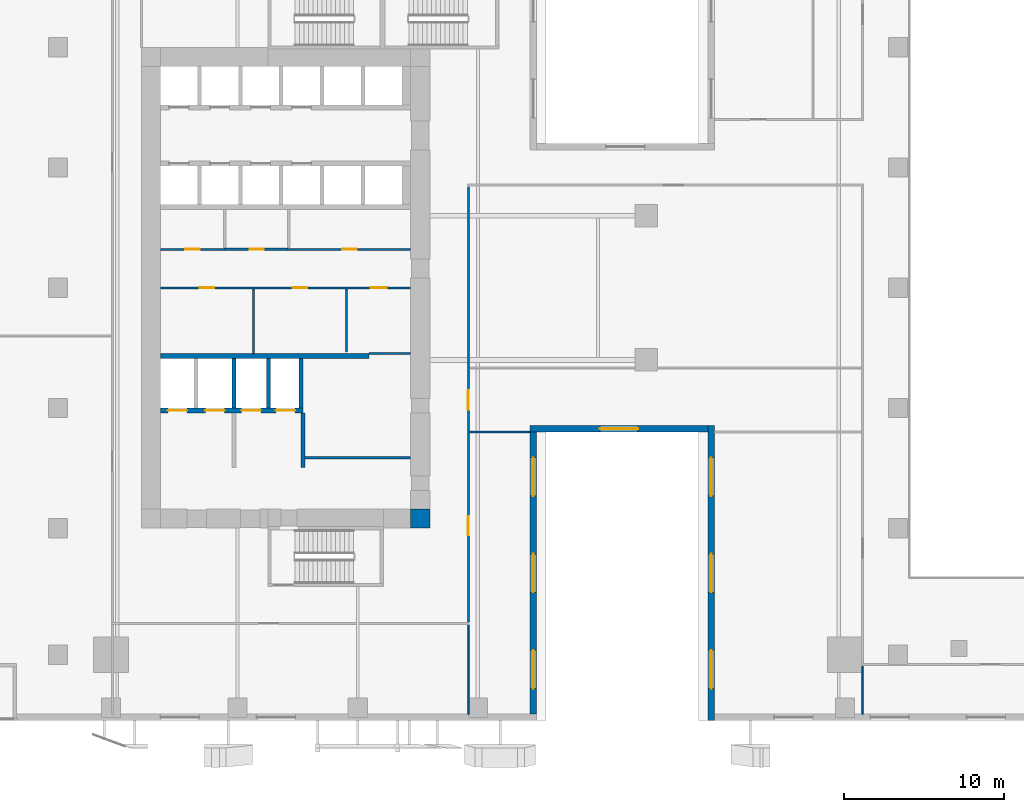
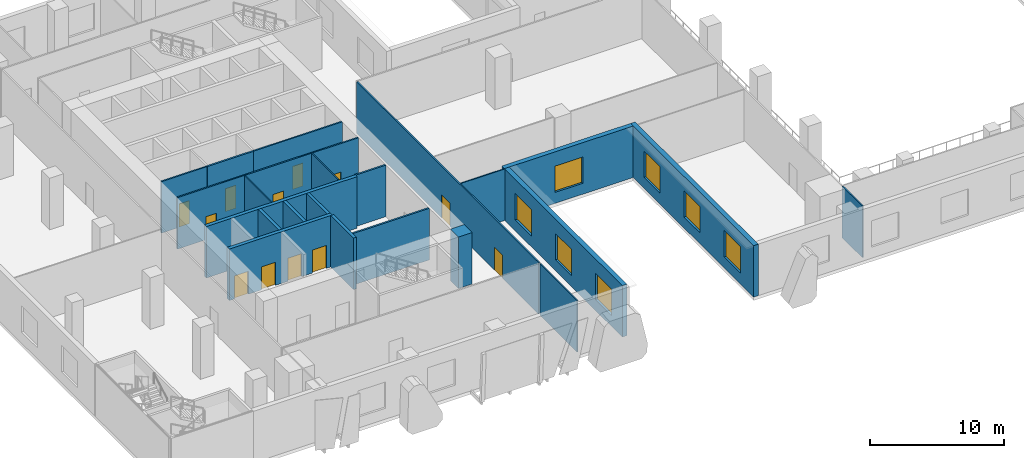
# One storey, part 11 of 23: 22 walls, 12 doors, 7 windows, 19 openings.
"""IFC4 building model written with IfcOpenShell, lengths in metres."""

from ifc_helpers import new_model, si_unit, direction, frame, frame_2d, origin, place, context, subcontext, project, spatial, rectangle, extrude, source, transform, mapped, material, layer, layer_set, type_object, element, fill, save


model = new_model("IFC4")

# Units and contexts
model_context = context("Model", 3, precision=1e-05, world=origin(), true_north=direction((0.0, 1.0)))
body_context = subcontext(model_context, "Body", "Model", "MODEL_VIEW")
ifc_project = project(units=[si_unit("LENGTHUNIT", "METRE"), si_unit("AREAUNIT", "SQUARE_METRE"), si_unit("VOLUMEUNIT", "CUBIC_METRE"), si_unit("PLANEANGLEUNIT", "RADIAN"), si_unit("MASSUNIT", "GRAM", prefix="KILO")], contexts=[model_context])

# Site, building, storey
site_placement = place(None, origin())
site = spatial("IfcSite", under=ifc_project, at=site_placement, CompositionType="ELEMENT")
building_placement = place(site_placement, origin())
building = spatial("IfcBuilding", under=site, at=building_placement, Name="Khomas Fold Tower", CompositionType="ELEMENT")
storey_placement = place(building_placement, frame((0.0, 0.0, 18.5)))
storey = spatial("IfcBuildingStorey", under=building, at=storey_placement, Name="L03", CompositionType="ELEMENT", Elevation=18.5)

# Walls
ifc_material_1 = material(Name="Concrete C70/85", Category="concrete")
ifc_layer_1 = layer(ifc_material_1, 1.199951171875)
ifc_layer_set_1 = layer_set([ifc_layer_1], Name="Concrete C70/85")
wall_type_1 = type_object("IfcWallType", Name="Core corner wall 1200", PredefinedType="SHEAR", material=ifc_layer_set_1)
shared_shape_1 = source(origin(), body_context, "Body", "SweptSolid", [
    extrude(rectangle(XDim=1.199951171875, YDim=1.199951171875, at=frame_2d((0.60009765625, 0.0))), origin(), (0.0, 0.0, 1.0), 4.699951171875),
])
wall_1_placement = place(storey_placement, frame((22.800048828125, 12.60009765625, 0.0), z_axis=(0.0, 0.0, 1.0), x_axis=(1.0, 0.0, 0.0)))
element("IfcWall", 1, at=wall_1_placement, inside=storey, type_object=wall_type_1, Name="Core wall CW-L-SE-B2", PredefinedType="SHEAR", context=body_context, shape_type="MappedRepresentation", body=[
    mapped(shared_shape_1, transform((0.0, 0.0, 0.0))),
])
ifc_material_2 = material(Name="Concrete C50/60", Category="concrete")
ifc_layer_2 = layer(ifc_material_2, 0.300048828125)
ifc_layer_set_2 = layer_set([ifc_layer_2], Name="Concrete C50/60")
wall_type_2 = type_object("IfcWallType", Name="Shaft wall 300", PredefinedType="STANDARD", material=ifc_layer_set_2)
shared_shape_2 = source(origin(), body_context, "Body", "SweptSolid", [
    extrude(rectangle(XDim=13.0, YDim=0.300048828125, at=frame_2d((6.5, 0.0))), origin(), (0.0, 0.0, 1.0), 4.699951171875),
])
wall_2_placement = place(storey_placement, frame((7.199951171875, 22.75, 0.0), z_axis=(0.0, 0.0, 1.0), x_axis=(1.0, 0.0, 0.0)))
element("IfcWall", 2, at=wall_2_placement, inside=storey, type_object=wall_type_2, Name="Core wall SW-FS-B", PredefinedType="STANDARD", context=body_context, shape_type="MappedRepresentation", body=[
    mapped(shared_shape_2, transform((0.0, 0.0, 0.0))),
])

# Wall, openings, doors
shared_shape_3 = source(origin(), body_context, "Body", "SweptSolid", [
    extrude(rectangle(XDim=8.875, YDim=0.300048828125, at=frame_2d((4.4375, 0.0))), origin(), (0.0, 0.0, 1.0), 4.699951171875),
])
wall_3_placement = place(storey_placement, frame((7.199951171875, 19.35009765625, 0.0), z_axis=(0.0, 0.0, 1.0), x_axis=(1.0, 0.0, 0.0)))
wall_3 = element("IfcWall", 3, at=wall_3_placement, inside=storey, type_object=wall_type_2, Name="Core wall SW-FS-F", PredefinedType="STANDARD", context=body_context, shape_type="MappedRepresentation", body=[
    mapped(shared_shape_3, transform((0.0, 0.0, 0.0))),
])
shared_shape_4 = source(origin(), body_context, "Body", "SweptSolid", [
    extrude(rectangle(XDim=1.199951171875, YDim=2.10009765625, at=frame_2d((0.60009765625, 1.050048828125))), frame((0.0, 0.159912109375, 0.0), z_axis=(0.0, -1.0, 0.0), x_axis=(1.0, 0.0, 0.0)), (0.0, 0.0, 1.0), 0.320068359375),
])
opening_1_placement = place(wall_3_placement, frame((0.449951171875, 0.0, 0.0)))
opening_1 = element("IfcOpeningElement", 4, at=opening_1_placement, cuts=wall_3, Name="Opening LD-SV1", PredefinedType="OPENING", context=body_context, shape_type="MappedRepresentation", body=[
    mapped(shared_shape_4, transform((0.0, 0.0, 0.0))),
])
opening_2_placement = place(wall_3_placement, frame((2.800048828125, 0.0, 0.0)))
opening_2 = element("IfcOpeningElement", 5, at=opening_2_placement, cuts=wall_3, Name="Opening LD-SV2", PredefinedType="OPENING", context=body_context, shape_type="MappedRepresentation", body=[
    mapped(shared_shape_4, transform((0.0, 0.0, 0.0))),
])
opening_3_placement = place(wall_3_placement, frame((5.050048828125, 0.0, 0.0)))
opening_3 = element("IfcOpeningElement", 6, at=opening_3_placement, cuts=wall_3, Name="Opening LD-FF1", PredefinedType="OPENING", context=body_context, shape_type="MappedRepresentation", body=[
    mapped(shared_shape_4, transform((0.0, 0.0, 0.0))),
])
opening_4_placement = place(wall_3_placement, frame((7.199951171875, 0.0, 0.0)))
opening_4 = element("IfcOpeningElement", 7, at=opening_4_placement, cuts=wall_3, Name="Opening LD-FF2", PredefinedType="OPENING", context=body_context, shape_type="MappedRepresentation", body=[
    mapped(shared_shape_4, transform((0.0, 0.0, 0.0))),
])
ifc_material_3 = material(Name="Steel door leaf", Category="steel")
door_type_1 = type_object("IfcDoorType", Name="Landing door 1200x2100", OperationType="DOUBLE_DOOR_SLIDING", PredefinedType="DOOR", material=ifc_material_3)
shared_shape_5 = source(origin(), body_context, "Body", "SweptSolid", [
    extrude(rectangle(XDim=1.199951171875, YDim=2.10009765625, at=frame_2d((0.60009765625, 1.050048828125))), frame((0.0, 0.02490234375, 0.0), z_axis=(0.0, -1.0, 0.0), x_axis=(1.0, 0.0, 0.0)), (0.0, 0.0, 1.0), 0.050048828125),
])
door_1_placement = place(opening_1_placement, origin())
door_1 = element("IfcDoor", 8, at=door_1_placement, inside=storey, type_object=door_type_1, Name="Lift landing door", OperationType="DOUBLE_DOOR_SLIDING", OverallHeight=2.10009765625, OverallWidth=1.199951171875, PredefinedType="DOOR", context=body_context, shape_type="MappedRepresentation", body=[
    mapped(shared_shape_5, transform((0.0, 0.0, 0.0))),
])
fill(opening_1, door_1)
door_2_placement = place(opening_2_placement, origin())
door_2 = element("IfcDoor", 9, at=door_2_placement, inside=storey, type_object=door_type_1, Name="Lift landing door", OperationType="DOUBLE_DOOR_SLIDING", OverallHeight=2.10009765625, OverallWidth=1.199951171875, PredefinedType="DOOR", context=body_context, shape_type="MappedRepresentation", body=[
    mapped(shared_shape_5, transform((0.0, 0.0, 0.0))),
])
fill(opening_2, door_2)
door_3_placement = place(opening_3_placement, origin())
door_3 = element("IfcDoor", 10, at=door_3_placement, inside=storey, type_object=door_type_1, Name="Lift landing door", OperationType="DOUBLE_DOOR_SLIDING", OverallHeight=2.10009765625, OverallWidth=1.199951171875, PredefinedType="DOOR", context=body_context, shape_type="MappedRepresentation", body=[
    mapped(shared_shape_5, transform((0.0, 0.0, 0.0))),
])
fill(opening_3, door_3)
door_4_placement = place(opening_4_placement, origin())
door_4 = element("IfcDoor", 11, at=door_4_placement, inside=storey, type_object=door_type_1, Name="Lift landing door", OperationType="DOUBLE_DOOR_SLIDING", OverallHeight=2.10009765625, OverallWidth=1.199951171875, PredefinedType="DOOR", context=body_context, shape_type="MappedRepresentation", body=[
    mapped(shared_shape_5, transform((0.0, 0.0, 0.0))),
])
fill(opening_4, door_4)

# Walls
ifc_material_4 = material(Name="Concrete C50/60", Category="concrete")
ifc_layer_3 = layer(ifc_material_4, 0.25)
ifc_layer_set_3 = layer_set([ifc_layer_3], Name="Concrete C50/60")
wall_type_3 = type_object("IfcWallType", Name="Shaft wall 250", PredefinedType="STANDARD", material=ifc_layer_set_3)
shared_shape_6 = source(origin(), body_context, "Body", "SweptSolid", [
    extrude(rectangle(XDim=3.10009765625, YDim=0.25, at=frame_2d((1.550048828125, 0.0))), origin(), (0.0, 0.0, 1.0), 4.699951171875),
])
for number, where, z_axis, x_axis, name in (
    (12, (11.77490234375, 19.5, 0.0), (0.0, 0.0, 1.0), (0.0, 1.0, 0.0), "Core wall SW-FS-P2"),
    (13, (13.925048828125, 19.5, 0.0), (0.0, 0.0, 1.0), (0.0, 1.0, 0.0), "Core wall SW-FS-P3"),
    (14, (15.949951171875, 19.5, 0.0), (0.0, 0.0, 1.0), (0.0, 1.0, 0.0), "Core wall SW-FS-PE"),
):
    element("IfcWall", number, at=place(storey_placement, frame(where, z_axis=z_axis, x_axis=x_axis)), inside=storey, type_object=wall_type_3, Name=name, PredefinedType="STANDARD", context=body_context, shape_type="MappedRepresentation", body=[
        mapped(shared_shape_6, transform((0.0, 0.0, 0.0))),
    ])
ifc_material_5 = material(Name="Concrete C50/60", Category="concrete")
ifc_layer_4 = layer(ifc_material_5, 0.25)
ifc_layer_set_4 = layer_set([ifc_layer_4], Name="Concrete C50/60")
wall_type_4 = type_object("IfcWallType", Name="Lobby wall 250", PredefinedType="STANDARD", material=ifc_layer_set_4)
shared_shape_7 = source(origin(), body_context, "Body", "SweptSolid", [
    extrude(rectangle(XDim=3.39990234375, YDim=0.25, at=frame_2d((1.699951171875, 0.0))), origin(), (0.0, 0.0, 1.0), 4.699951171875),
])
wall_4_placement = place(storey_placement, frame((16.074951171875, 15.800048828125, 0.0), z_axis=(0.0, 0.0, 1.0), x_axis=(0.0, 1.0, 0.0)))
element("IfcWall", 15, at=wall_4_placement, inside=storey, type_object=wall_type_4, Name="Core wall SW-FS-LOB-E", PredefinedType="STANDARD", context=body_context, shape_type="MappedRepresentation", body=[
    mapped(shared_shape_7, transform((0.0, 0.0, 0.0))),
])

# Wall, openings, windows
ifc_material_6 = material(Name="Concrete C40/50", Category="concrete")
ifc_layer_5 = layer(ifc_material_6, 0.39990234375)
ifc_layer_set_5 = layer_set([ifc_layer_5], Name="Concrete C40/50")
wall_type_5 = type_object("IfcWallType", Name="Stone-clad concrete wall 400", PredefinedType="SOLIDWALL", material=ifc_layer_set_5)
shared_shape_8 = source(origin(), body_context, "Body", "SweptSolid", [
    extrude(rectangle(XDim=17.60009765625, YDim=0.39990234375, at=frame_2d((8.800048828125, 0.0))), origin(), (0.0, 0.0, 1.0), 4.699951171875),
])
wall_5_placement = place(storey_placement, frame((30.449951171875, 0.39990234375, 0.0), z_axis=(0.0, 0.0, 1.0), x_axis=(0.0, 1.0, 0.0)))
wall_5 = element("IfcWall", 16, at=wall_5_placement, inside=storey, type_object=wall_type_5, Name="Podium wall", PredefinedType="SOLIDWALL", context=body_context, shape_type="MappedRepresentation", body=[
    mapped(shared_shape_8, transform((0.0, 0.0, 0.0))),
])
shared_shape_9 = source(origin(), body_context, "Body", "SweptSolid", [
    extrude(rectangle(XDim=2.39990234375, YDim=2.39990234375, at=frame_2d((1.199951171875, 1.199951171875))), frame((0.0, 0.2099609375, 0.0), z_axis=(0.0, -1.0, 0.0), x_axis=(1.0, 0.0, 0.0)), (0.0, 0.0, 1.0), 0.419921875),
])
opening_5_placement = place(wall_5_placement, frame((1.60009765625, 0.0, 1.0)))
opening_5 = element("IfcOpeningElement", 17, at=opening_5_placement, cuts=wall_5, Name="Opening PD-WN", PredefinedType="OPENING", context=body_context, shape_type="MappedRepresentation", body=[
    mapped(shared_shape_9, transform((0.0, 0.0, 0.0))),
])
opening_6_placement = place(wall_5_placement, frame((7.60009765625, 0.0, 1.0)))
opening_6 = element("IfcOpeningElement", 18, at=opening_6_placement, cuts=wall_5, Name="Opening PD-WN", PredefinedType="OPENING", context=body_context, shape_type="MappedRepresentation", body=[
    mapped(shared_shape_9, transform((0.0, 0.0, 0.0))),
])
opening_7_placement = place(wall_5_placement, frame((13.60009765625, 0.0, 1.0)))
opening_7 = element("IfcOpeningElement", 19, at=opening_7_placement, cuts=wall_5, Name="Opening PD-WN", PredefinedType="OPENING", context=body_context, shape_type="MappedRepresentation", body=[
    mapped(shared_shape_9, transform((0.0, 0.0, 0.0))),
])
ifc_material_7 = material(Name="Aluminium framed double glazing", Category="aluminium")
window_type = type_object("IfcWindowType", Name="Podium window 2400 x 2400", PartitioningType="SINGLE_PANEL", PredefinedType="WINDOW", material=ifc_material_7)
shared_shape_10 = source(origin(), body_context, "Body", "SweptSolid", [
    extrude(rectangle(XDim=2.39990234375, YDim=2.39990234375, at=frame_2d((1.199951171875, 1.199951171875))), frame((0.0, 0.030029296875, 0.0), z_axis=(0.0, -1.0, 0.0), x_axis=(1.0, 0.0, 0.0)), (0.0, 0.0, 1.0), 0.06005859375),
])
window_1_placement = place(opening_5_placement, origin())
window_1 = element("IfcWindow", 20, at=window_1_placement, inside=storey, type_object=window_type, Name="Podium window", OverallHeight=2.39990234375, OverallWidth=2.39990234375, PartitioningType="SINGLE_PANEL", PredefinedType="WINDOW", context=body_context, shape_type="MappedRepresentation", body=[
    mapped(shared_shape_10, transform((0.0, 0.0, 0.0))),
])
fill(opening_5, window_1)
window_2_placement = place(opening_6_placement, origin())
window_2 = element("IfcWindow", 21, at=window_2_placement, inside=storey, type_object=window_type, Name="Podium window", OverallHeight=2.39990234375, OverallWidth=2.39990234375, PartitioningType="SINGLE_PANEL", PredefinedType="WINDOW", context=body_context, shape_type="MappedRepresentation", body=[
    mapped(shared_shape_10, transform((0.0, 0.0, 0.0))),
])
fill(opening_6, window_2)
window_3_placement = place(opening_7_placement, origin())
window_3 = element("IfcWindow", 22, at=window_3_placement, inside=storey, type_object=window_type, Name="Podium window", OverallHeight=2.39990234375, OverallWidth=2.39990234375, PartitioningType="SINGLE_PANEL", PredefinedType="WINDOW", context=body_context, shape_type="MappedRepresentation", body=[
    mapped(shared_shape_10, transform((0.0, 0.0, 0.0))),
])
fill(opening_7, window_3)

# Wall, opening, window
shared_shape_11 = source(origin(), body_context, "Body", "SweptSolid", [
    extrude(rectangle(XDim=11.10009765625, YDim=0.39990234375, at=frame_2d((5.550048828125, 0.0))), origin(), (0.0, 0.0, 1.0), 4.699951171875),
])
wall_6_placement = place(storey_placement, frame((30.25, 18.199951171875, 0.0), z_axis=(0.0, 0.0, 1.0), x_axis=(1.0, 0.0, 0.0)))
wall_6 = element("IfcWall", 23, at=wall_6_placement, inside=storey, type_object=wall_type_5, Name="Podium wall", PredefinedType="SOLIDWALL", context=body_context, shape_type="MappedRepresentation", body=[
    mapped(shared_shape_11, transform((0.0, 0.0, 0.0))),
])
opening_8_placement = place(wall_6_placement, frame((4.35009765625, 0.0, 1.0)))
opening_8 = element("IfcOpeningElement", 24, at=opening_8_placement, cuts=wall_6, Name="Opening PD-WN", PredefinedType="OPENING", context=body_context, shape_type="MappedRepresentation", body=[
    mapped(shared_shape_9, transform((0.0, 0.0, 0.0))),
])
window_4_placement = place(opening_8_placement, origin())
window_4 = element("IfcWindow", 25, at=window_4_placement, inside=storey, type_object=window_type, Name="Podium window", OverallHeight=2.39990234375, OverallWidth=2.39990234375, PartitioningType="SINGLE_PANEL", PredefinedType="WINDOW", context=body_context, shape_type="MappedRepresentation", body=[
    mapped(shared_shape_10, transform((0.0, 0.0, 0.0))),
])
fill(opening_8, window_4)

# Wall, openings, windows
shared_shape_12 = source(origin(), body_context, "Body", "SweptSolid", [
    extrude(rectangle(XDim=18.39990234375, YDim=0.39990234375, at=frame_2d((9.199951171875, 0.0))), origin(), (0.0, 0.0, 1.0), 4.699951171875),
])
wall_7_placement = place(storey_placement, frame((41.550048828125, 18.39990234375, 0.0), z_axis=(0.0, 0.0, 1.0), x_axis=(0.0, -1.0, 0.0)))
wall_7 = element("IfcWall", 26, at=wall_7_placement, inside=storey, type_object=wall_type_5, Name="Podium wall", PredefinedType="SOLIDWALL", context=body_context, shape_type="MappedRepresentation", body=[
    mapped(shared_shape_12, transform((0.0, 0.0, 0.0))),
])
opening_9_placement = place(wall_7_placement, frame((2.0, 0.0, 1.0)))
opening_9 = element("IfcOpeningElement", 27, at=opening_9_placement, cuts=wall_7, Name="Opening PD-WN", PredefinedType="OPENING", context=body_context, shape_type="MappedRepresentation", body=[
    mapped(shared_shape_9, transform((0.0, 0.0, 0.0))),
])
opening_10_placement = place(wall_7_placement, frame((8.0, 0.0, 1.0)))
opening_10 = element("IfcOpeningElement", 28, at=opening_10_placement, cuts=wall_7, Name="Opening PD-WN", PredefinedType="OPENING", context=body_context, shape_type="MappedRepresentation", body=[
    mapped(shared_shape_9, transform((0.0, 0.0, 0.0))),
])
opening_11_placement = place(wall_7_placement, frame((14.0, 0.0, 1.0)))
opening_11 = element("IfcOpeningElement", 29, at=opening_11_placement, cuts=wall_7, Name="Opening PD-WN", PredefinedType="OPENING", context=body_context, shape_type="MappedRepresentation", body=[
    mapped(shared_shape_9, transform((0.0, 0.0, 0.0))),
])
window_5_placement = place(opening_9_placement, origin())
window_5 = element("IfcWindow", 30, at=window_5_placement, inside=storey, type_object=window_type, Name="Podium window", OverallHeight=2.39990234375, OverallWidth=2.39990234375, PartitioningType="SINGLE_PANEL", PredefinedType="WINDOW", context=body_context, shape_type="MappedRepresentation", body=[
    mapped(shared_shape_10, transform((0.0, 0.0, 0.0))),
])
fill(opening_9, window_5)
window_6_placement = place(opening_10_placement, origin())
window_6 = element("IfcWindow", 31, at=window_6_placement, inside=storey, type_object=window_type, Name="Podium window", OverallHeight=2.39990234375, OverallWidth=2.39990234375, PartitioningType="SINGLE_PANEL", PredefinedType="WINDOW", context=body_context, shape_type="MappedRepresentation", body=[
    mapped(shared_shape_10, transform((0.0, 0.0, 0.0))),
])
fill(opening_10, window_6)
window_7_placement = place(opening_11_placement, origin())
window_7 = element("IfcWindow", 32, at=window_7_placement, inside=storey, type_object=window_type, Name="Podium window", OverallHeight=2.39990234375, OverallWidth=2.39990234375, PartitioningType="SINGLE_PANEL", PredefinedType="WINDOW", context=body_context, shape_type="MappedRepresentation", body=[
    mapped(shared_shape_10, transform((0.0, 0.0, 0.0))),
])
fill(opening_11, window_7)

# Walls
ifc_material_8 = material(Name="Plasterboard partition")
ifc_layer_6 = layer(ifc_material_8, 0.10009765625)
ifc_layer_set_6 = layer_set([ifc_layer_6], Name="Plasterboard partition")
wall_type_6 = type_object("IfcWallType", Name="Partition PW1 100", PredefinedType="PARTITIONING", material=ifc_layer_set_6)
shared_shape_13 = source(origin(), body_context, "Body", "SweptSolid", [
    extrude(rectangle(XDim=5.550048828125, YDim=0.10009765625, at=frame_2d((2.77490234375, 0.0))), origin(), (0.0, 0.0, 1.0), 4.699951171875),
])
wall_8_placement = place(storey_placement, frame((26.39990234375, 0.39990234375, 0.0), z_axis=(0.0, 0.0, 1.0), x_axis=(0.0, 1.0, 0.0)))
element("IfcWall", 33, at=wall_8_placement, inside=storey, type_object=wall_type_6, Name="Partition", PredefinedType="PARTITIONING", context=body_context, shape_type="MappedRepresentation", body=[
    mapped(shared_shape_13, transform((0.0, 0.0, 0.0))),
])
shared_shape_14 = source(origin(), body_context, "Body", "SweptSolid", [
    extrude(rectangle(XDim=3.0, YDim=0.10009765625, at=frame_2d((1.5, 0.0))), origin(), (0.0, 0.0, 1.0), 4.699951171875),
])
wall_9_placement = place(storey_placement, frame((51.0, 0.39990234375, 0.0), z_axis=(0.0, 0.0, 1.0), x_axis=(0.0, 1.0, 0.0)))
element("IfcWall", 34, at=wall_9_placement, inside=storey, type_object=wall_type_6, Name="Partition", PredefinedType="PARTITIONING", context=body_context, shape_type="MappedRepresentation", body=[
    mapped(shared_shape_14, transform((0.0, 0.0, 0.0))),
])

# Wall, openings, doors
ifc_material_9 = material(Name="Plasterboard partition")
ifc_layer_7 = layer(ifc_material_9, 0.125)
ifc_layer_set_7 = layer_set([ifc_layer_7], Name="Plasterboard partition")
wall_type_7 = type_object("IfcWallType", Name="Partition PW2 125", PredefinedType="PARTITIONING", material=ifc_layer_set_7)
shared_shape_15 = source(origin(), body_context, "Body", "SweptSolid", [
    extrude(rectangle(XDim=27.150146484375, YDim=0.125, at=frame_2d((13.5751953125, 0.0))), origin(), (0.0, 0.0, 1.0), 4.699951171875),
])
wall_10_placement = place(storey_placement, frame((26.39990234375, 6.14990234375, 0.0), z_axis=(0.0, 0.0, 1.0), x_axis=(0.0, 1.0, 0.0)))
wall_10 = element("IfcWall", 35, at=wall_10_placement, inside=storey, type_object=wall_type_7, Name="Partition", PredefinedType="PARTITIONING", context=body_context, shape_type="MappedRepresentation", body=[
    mapped(shared_shape_15, transform((0.0, 0.0, 0.0))),
])
shared_shape_16 = source(origin(), body_context, "Body", "SweptSolid", [
    extrude(rectangle(XDim=1.199951171875, YDim=2.10009765625, at=frame_2d((0.60009765625, 1.050048828125))), frame((0.0, 0.072509765625, 0.0), z_axis=(0.0, -1.0, 0.0), x_axis=(1.0, 0.0, 0.0)), (0.0, 0.0, 1.0), 0.14501953125),
])
opening_12_placement = place(wall_10_placement, frame((5.39990234375, 0.0, 0.0)))
opening_12 = element("IfcOpeningElement", 36, at=opening_12_placement, cuts=wall_10, Name="Opening 0001", PredefinedType="OPENING", context=body_context, shape_type="MappedRepresentation", body=[
    mapped(shared_shape_16, transform((0.0, 0.0, 0.0))),
])
opening_13_placement = place(wall_10_placement, frame((13.25, 0.0, 0.0)))
opening_13 = element("IfcOpeningElement", 37, at=opening_13_placement, cuts=wall_10, Name="Opening 0001", PredefinedType="OPENING", context=body_context, shape_type="MappedRepresentation", body=[
    mapped(shared_shape_16, transform((0.0, 0.0, 0.0))),
])
ifc_material_10 = material(Name="Timber door leaf", Category="wood")
door_type_2 = type_object("IfcDoorType", Name="Door 1200x2100 right-hand", OperationType="SINGLE_SWING_RIGHT", PredefinedType="DOOR", material=ifc_material_10)
door_5_placement = place(opening_12_placement, origin())
door_5 = element("IfcDoor", 38, at=door_5_placement, inside=storey, type_object=door_type_2, Name="Door", OperationType="SINGLE_SWING_RIGHT", OverallHeight=2.10009765625, OverallWidth=1.199951171875, PredefinedType="DOOR", context=body_context, shape_type="MappedRepresentation", body=[
    mapped(shared_shape_5, transform((0.0, 0.0, 0.0))),
])
fill(opening_12, door_5)
door_6_placement = place(opening_13_placement, origin())
door_6 = element("IfcDoor", 39, at=door_6_placement, inside=storey, type_object=door_type_2, Name="Door", OperationType="SINGLE_SWING_RIGHT", OverallHeight=2.10009765625, OverallWidth=1.199951171875, PredefinedType="DOOR", context=body_context, shape_type="MappedRepresentation", body=[
    mapped(shared_shape_5, transform((0.0, 0.0, 0.0))),
])
fill(opening_13, door_6)

# Walls
ifc_material_11 = material(Name="Plasterboard fire partition")
ifc_layer_8 = layer(ifc_material_11, 0.14990234375)
ifc_layer_set_8 = layer_set([ifc_layer_8], Name="Plasterboard fire partition")
wall_type_8 = type_object("IfcWallType", Name="Plant room wall PW3 150", PredefinedType="PARTITIONING", material=ifc_layer_set_8)
shared_shape_17 = source(origin(), body_context, "Body", "SweptSolid", [
    extrude(rectangle(XDim=6.60009765625, YDim=0.14990234375, at=frame_2d((3.300048828125, 0.0))), origin(), (0.0, 0.0, 1.0), 4.699951171875),
])
wall_11_placement = place(storey_placement, frame((16.199951171875, 16.39990234375, 0.0), z_axis=(0.0, 0.0, 1.0), x_axis=(1.0, 0.0, 0.0)))
element("IfcWall", 40, at=wall_11_placement, inside=storey, type_object=wall_type_8, Name="Plant room wall", PredefinedType="PARTITIONING", context=body_context, shape_type="MappedRepresentation", body=[
    mapped(shared_shape_17, transform((0.0, 0.0, 0.0))),
])
shared_shape_18 = source(origin(), body_context, "Body", "SweptSolid", [
    extrude(rectangle(XDim=3.75, YDim=0.10009765625, at=frame_2d((1.875, 0.0))), origin(), (0.0, 0.0, 1.0), 4.699951171875),
])
wall_12_placement = place(storey_placement, frame((26.5, 18.0, 0.0), z_axis=(0.0, 0.0, 1.0), x_axis=(1.0, 0.0, 0.0)))
element("IfcWall", 41, at=wall_12_placement, inside=storey, type_object=wall_type_6, Name="Partition", PredefinedType="PARTITIONING", context=body_context, shape_type="MappedRepresentation", body=[
    mapped(shared_shape_18, transform((0.0, 0.0, 0.0))),
])
shared_shape_19 = source(origin(), body_context, "Body", "SweptSolid", [
    extrude(rectangle(XDim=4.0, YDim=0.10009765625, at=frame_2d((2.0, 0.0))), origin(), (0.0, 0.0, 1.0), 4.699951171875),
])
wall_13_placement = place(storey_placement, frame((13.0, 22.89990234375, 0.0), z_axis=(0.0, 0.0, 1.0), x_axis=(0.0, 1.0, 0.0)))
element("IfcWall", 42, at=wall_13_placement, inside=storey, type_object=wall_type_6, Name="Partition", PredefinedType="PARTITIONING", context=body_context, shape_type="MappedRepresentation", body=[
    mapped(shared_shape_19, transform((0.0, 0.0, 0.0))),
])
shared_shape_20 = source(origin(), body_context, "Body", "SweptSolid", [
    extrude(rectangle(XDim=2.60009765625, YDim=0.14990234375, at=frame_2d((1.300048828125, 0.0))), origin(), (0.0, 0.0, 1.0), 4.699951171875),
])
wall_14_placement = place(storey_placement, frame((20.199951171875, 22.89990234375, 0.0), z_axis=(0.0, 0.0, 1.0), x_axis=(1.0, 0.0, 0.0)))
element("IfcWall", 43, at=wall_14_placement, inside=storey, type_object=wall_type_8, Name="Plant room wall", PredefinedType="PARTITIONING", context=body_context, shape_type="MappedRepresentation", body=[
    mapped(shared_shape_20, transform((0.0, 0.0, 0.0))),
])
shared_shape_21 = source(origin(), body_context, "Body", "SweptSolid", [
    extrude(rectangle(XDim=3.89990234375, YDim=0.10009765625, at=frame_2d((1.949951171875, 0.0))), origin(), (0.0, 0.0, 1.0), 4.699951171875),
])
wall_15_placement = place(storey_placement, frame((18.800048828125, 23.0, 0.0), z_axis=(0.0, 0.0, 1.0), x_axis=(0.0, 1.0, 0.0)))
element("IfcWall", 44, at=wall_15_placement, inside=storey, type_object=wall_type_6, Name="Partition", PredefinedType="PARTITIONING", context=body_context, shape_type="MappedRepresentation", body=[
    mapped(shared_shape_21, transform((0.0, 0.0, 0.0))),
])

# Wall, openings, doors
shared_shape_22 = source(origin(), body_context, "Body", "SweptSolid", [
    extrude(rectangle(XDim=15.60009765625, YDim=0.125, at=frame_2d((7.800048828125, 0.0))), origin(), (0.0, 0.0, 1.0), 4.699951171875),
])
wall_16_placement = place(storey_placement, frame((7.199951171875, 27.0, 0.0), z_axis=(0.0, 0.0, 1.0), x_axis=(1.0, 0.0, 0.0)))
wall_16 = element("IfcWall", 45, at=wall_16_placement, inside=storey, type_object=wall_type_7, Name="Partition", PredefinedType="PARTITIONING", context=body_context, shape_type="MappedRepresentation", body=[
    mapped(shared_shape_22, transform((0.0, 0.0, 0.0))),
])
shared_shape_23 = source(origin(), body_context, "Body", "SweptSolid", [
    extrude(rectangle(XDim=0.89990234375, YDim=2.10009765625, at=frame_2d((0.449951171875, 1.050048828125))), frame((0.0, 0.072509765625, 0.0), z_axis=(0.0, -1.0, 0.0), x_axis=(1.0, 0.0, 0.0)), (0.0, 0.0, 1.0), 0.14501953125),
])
opening_14_placement = place(wall_16_placement, frame((2.449951171875, 0.0, 0.0)))
opening_14 = element("IfcOpeningElement", 46, at=opening_14_placement, cuts=wall_16, Name="Opening 0004", PredefinedType="OPENING", context=body_context, shape_type="MappedRepresentation", body=[
    mapped(shared_shape_23, transform((0.0, 0.0, 0.0))),
])
opening_15_placement = place(wall_16_placement, frame((8.25, 0.0, 0.0)))
opening_15 = element("IfcOpeningElement", 47, at=opening_15_placement, cuts=wall_16, Name="Opening 0005", PredefinedType="OPENING", context=body_context, shape_type="MappedRepresentation", body=[
    mapped(shared_shape_23, transform((0.0, 0.0, 0.0))),
])
shared_shape_24 = source(origin(), body_context, "Body", "SweptSolid", [
    extrude(rectangle(XDim=1.0, YDim=2.10009765625, at=frame_2d((0.5, 1.050048828125))), frame((0.0, 0.072509765625, 0.0), z_axis=(0.0, -1.0, 0.0), x_axis=(1.0, 0.0, 0.0)), (0.0, 0.0, 1.0), 0.14501953125),
])
opening_16_placement = place(wall_16_placement, frame((13.10009765625, 0.0, 0.0)))
opening_16 = element("IfcOpeningElement", 48, at=opening_16_placement, cuts=wall_16, Name="Opening 0006", PredefinedType="OPENING", context=body_context, shape_type="MappedRepresentation", body=[
    mapped(shared_shape_24, transform((0.0, 0.0, 0.0))),
])
ifc_material_12 = material(Name="Timber door leaf", Category="wood")
door_type_3 = type_object("IfcDoorType", Name="WC door 900x2100 right-hand", OperationType="SINGLE_SWING_RIGHT", PredefinedType="DOOR", material=ifc_material_12)
shared_shape_25 = source(origin(), body_context, "Body", "SweptSolid", [
    extrude(rectangle(XDim=0.89990234375, YDim=2.10009765625, at=frame_2d((0.449951171875, 1.050048828125))), frame((0.0, 0.02490234375, 0.0), z_axis=(0.0, -1.0, 0.0), x_axis=(1.0, 0.0, 0.0)), (0.0, 0.0, 1.0), 0.050048828125),
])
door_7_placement = place(opening_14_placement, origin())
door_7 = element("IfcDoor", 49, at=door_7_placement, inside=storey, type_object=door_type_3, Name="WC door", OperationType="SINGLE_SWING_RIGHT", OverallHeight=2.10009765625, OverallWidth=0.89990234375, PredefinedType="DOOR", context=body_context, shape_type="MappedRepresentation", body=[
    mapped(shared_shape_25, transform((0.0, 0.0, 0.0))),
])
fill(opening_14, door_7)
ifc_material_13 = material(Name="Timber door leaf", Category="wood")
door_type_4 = type_object("IfcDoorType", Name="WC door 900x2100 left-hand", OperationType="SINGLE_SWING_LEFT", PredefinedType="DOOR", material=ifc_material_13)
door_8_placement = place(opening_15_placement, origin())
door_8 = element("IfcDoor", 50, at=door_8_placement, inside=storey, type_object=door_type_4, Name="WC door", OperationType="SINGLE_SWING_LEFT", OverallHeight=2.10009765625, OverallWidth=0.89990234375, PredefinedType="DOOR", context=body_context, shape_type="MappedRepresentation", body=[
    mapped(shared_shape_25, transform((0.0, 0.0, 0.0))),
])
fill(opening_15, door_8)
ifc_material_14 = material(Name="Timber door leaf", Category="wood")
door_type_5 = type_object("IfcDoorType", Name="WC door 1000x2100 right-hand", OperationType="SINGLE_SWING_RIGHT", PredefinedType="DOOR", material=ifc_material_14)
shared_shape_26 = source(origin(), body_context, "Body", "SweptSolid", [
    extrude(rectangle(XDim=1.0, YDim=2.10009765625, at=frame_2d((0.5, 1.050048828125))), frame((0.0, 0.02490234375, 0.0), z_axis=(0.0, -1.0, 0.0), x_axis=(1.0, 0.0, 0.0)), (0.0, 0.0, 1.0), 0.050048828125),
])
door_9_placement = place(opening_16_placement, origin())
door_9 = element("IfcDoor", 51, at=door_9_placement, inside=storey, type_object=door_type_5, Name="WC door", OperationType="SINGLE_SWING_RIGHT", OverallHeight=2.10009765625, OverallWidth=1.0, PredefinedType="DOOR", context=body_context, shape_type="MappedRepresentation", body=[
    mapped(shared_shape_26, transform((0.0, 0.0, 0.0))),
])
fill(opening_16, door_9)

# Wall, opening, door
shared_shape_27 = source(origin(), body_context, "Body", "SweptSolid", [
    extrude(rectangle(XDim=3.949951171875, YDim=0.125, at=frame_2d((1.97509765625, 0.0))), origin(), (0.0, 0.0, 1.0), 4.699951171875),
])
wall_17_placement = place(storey_placement, frame((7.199951171875, 29.39990234375, 0.0), z_axis=(0.0, 0.0, 1.0), x_axis=(1.0, 0.0, 0.0)))
wall_17 = element("IfcWall", 52, at=wall_17_placement, inside=storey, type_object=wall_type_7, Name="Partition", PredefinedType="PARTITIONING", context=body_context, shape_type="MappedRepresentation", body=[
    mapped(shared_shape_27, transform((0.0, 0.0, 0.0))),
])
opening_17_placement = place(wall_17_placement, frame((1.550048828125, 0.0, 0.0)))
opening_17 = element("IfcOpeningElement", 53, at=opening_17_placement, cuts=wall_17, Name="Opening 0008", PredefinedType="OPENING", context=body_context, shape_type="MappedRepresentation", body=[
    mapped(shared_shape_23, transform((0.0, 0.0, 0.0))),
])
ifc_material_15 = material(Name="Timber door leaf", Category="wood")
door_type_6 = type_object("IfcDoorType", Name="Door 900x2100 right-hand", OperationType="SINGLE_SWING_RIGHT", PredefinedType="DOOR", material=ifc_material_15)
door_10_placement = place(opening_17_placement, origin())
door_10 = element("IfcDoor", 54, at=door_10_placement, inside=storey, type_object=door_type_6, Name="Door", OperationType="SINGLE_SWING_RIGHT", OverallHeight=2.10009765625, OverallWidth=0.89990234375, PredefinedType="DOOR", context=body_context, shape_type="MappedRepresentation", body=[
    mapped(shared_shape_25, transform((0.0, 0.0, 0.0))),
])
fill(opening_17, door_10)

shared_shape_28 = source(origin(), body_context, "Body", "SweptSolid", [
    extrude(rectangle(XDim=4.0, YDim=0.14990234375, at=frame_2d((2.0, 0.0))), origin(), (0.0, 0.0, 1.0), 4.699951171875),
])
wall_18_placement = place(storey_placement, frame((11.14990234375, 29.39990234375, 0.0), z_axis=(0.0, 0.0, 1.0), x_axis=(1.0, 0.0, 0.0)))
wall_18 = element("IfcWall", 55, at=wall_18_placement, inside=storey, type_object=wall_type_8, Name="Plant room wall", PredefinedType="PARTITIONING", context=body_context, shape_type="MappedRepresentation", body=[
    mapped(shared_shape_28, transform((0.0, 0.0, 0.0))),
])
shared_shape_29 = source(origin(), body_context, "Body", "SweptSolid", [
    extrude(rectangle(XDim=0.89990234375, YDim=2.10009765625, at=frame_2d((0.449951171875, 1.050048828125))), frame((0.0, 0.0849609375, 0.0), z_axis=(0.0, -1.0, 0.0), x_axis=(1.0, 0.0, 0.0)), (0.0, 0.0, 1.0), 0.169921875),
])
opening_18_placement = place(wall_18_placement, frame((1.60009765625, 0.0, 0.0)))
opening_18 = element("IfcOpeningElement", 56, at=opening_18_placement, cuts=wall_18, Name="Opening 0002", PredefinedType="OPENING", context=body_context, shape_type="MappedRepresentation", body=[
    mapped(shared_shape_29, transform((0.0, 0.0, 0.0))),
])
ifc_material_16 = material(Name="Steel door leaf", Category="steel")
door_type_7 = type_object("IfcDoorType", Name="Plant room door 900x2100 left-hand", OperationType="SINGLE_SWING_LEFT", PredefinedType="DOOR", material=ifc_material_16)
door_11_placement = place(opening_18_placement, origin())
door_11 = element("IfcDoor", 57, at=door_11_placement, inside=storey, type_object=door_type_7, Name="Plant room door", OperationType="SINGLE_SWING_LEFT", OverallHeight=2.10009765625, OverallWidth=0.89990234375, PredefinedType="DOOR", context=body_context, shape_type="MappedRepresentation", body=[
    mapped(shared_shape_25, transform((0.0, 0.0, 0.0))),
])
fill(opening_18, door_11)

shared_shape_30 = source(origin(), body_context, "Body", "SweptSolid", [
    extrude(rectangle(XDim=7.650146484375, YDim=0.125, at=frame_2d((3.8251953125, 0.0))), origin(), (0.0, 0.0, 1.0), 4.699951171875),
])
wall_19_placement = place(storey_placement, frame((15.14990234375, 29.39990234375, 0.0), z_axis=(0.0, 0.0, 1.0), x_axis=(1.0, 0.0, 0.0)))
wall_19 = element("IfcWall", 58, at=wall_19_placement, inside=storey, type_object=wall_type_7, Name="Partition", PredefinedType="PARTITIONING", context=body_context, shape_type="MappedRepresentation", body=[
    mapped(shared_shape_30, transform((0.0, 0.0, 0.0))),
])
opening_19_placement = place(wall_19_placement, frame((3.39990234375, 0.0, 0.0)))
opening_19 = element("IfcOpeningElement", 59, at=opening_19_placement, cuts=wall_19, Name="Opening 0008", PredefinedType="OPENING", context=body_context, shape_type="MappedRepresentation", body=[
    mapped(shared_shape_23, transform((0.0, 0.0, 0.0))),
])
door_12_placement = place(opening_19_placement, origin())
door_12 = element("IfcDoor", 60, at=door_12_placement, inside=storey, type_object=door_type_6, Name="Door", OperationType="SINGLE_SWING_RIGHT", OverallHeight=2.10009765625, OverallWidth=0.89990234375, PredefinedType="DOOR", context=body_context, shape_type="MappedRepresentation", body=[
    mapped(shared_shape_25, transform((0.0, 0.0, 0.0))),
])
fill(opening_19, door_12)

save(model, "model.ifc")
